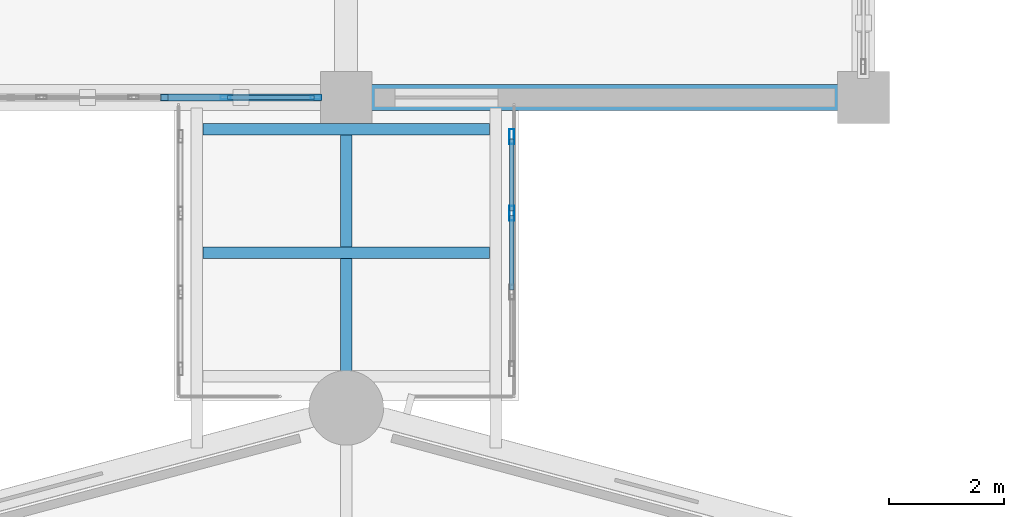
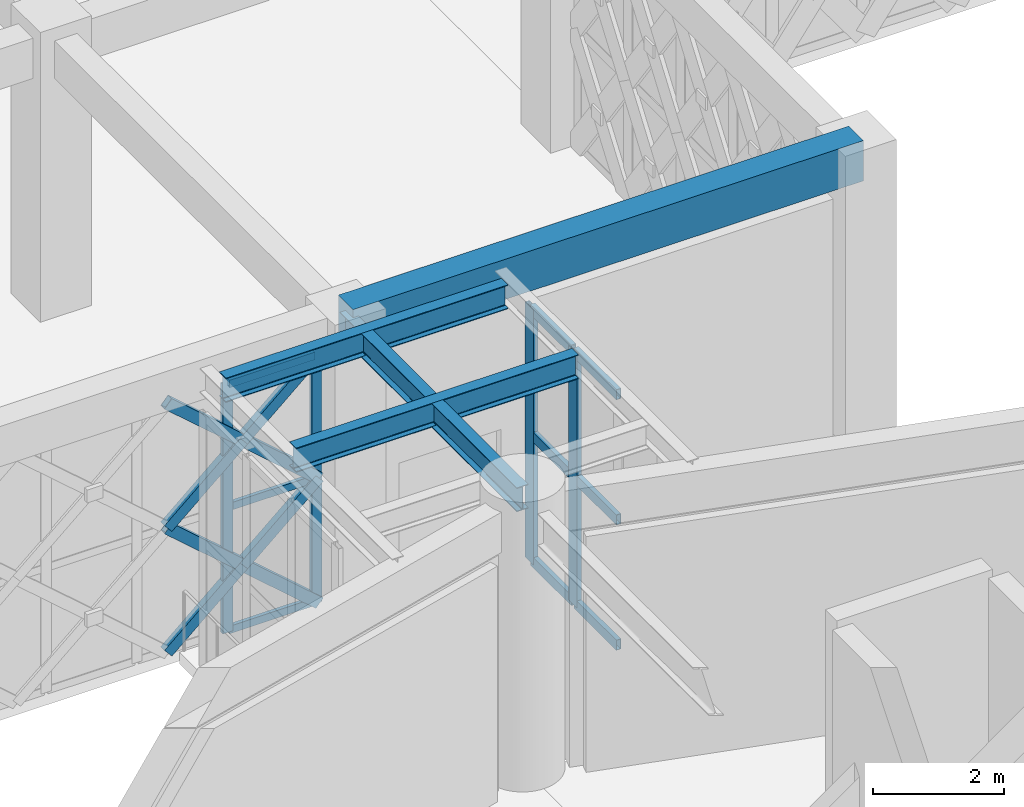
# One storey, part 73 of 155: 19 members, 4 beams, 2 elements without a shape of their own.
"""IFC4 building model written with IfcOpenShell, lengths in metres."""

from ifc_helpers import new_model, si_unit, direction, frame, origin, origin_2d, place, context, subcontext, project, spatial, rectangle, hollow_rectangle, i_section, extrude, material, material_profile, profile_set, type_object, element, aggregate, save


model = new_model("IFC4")

# Units and contexts
model_context = context("Model", 3, precision=1e-05, world=origin(), true_north=direction((0.0, 1.0)))
body_context = subcontext(model_context, "Body", "Model", "MODEL_VIEW")
ifc_project = project(units=[si_unit("LENGTHUNIT", "METRE"), si_unit("AREAUNIT", "SQUARE_METRE"), si_unit("VOLUMEUNIT", "CUBIC_METRE"), si_unit("PLANEANGLEUNIT", "RADIAN"), si_unit("MASSUNIT", "GRAM", prefix="KILO")], contexts=[model_context])

# Site, building, storey
site_placement = place(None, origin())
site = spatial("IfcSite", under=ifc_project, at=site_placement, CompositionType="ELEMENT")
building_placement = place(site_placement, origin())
building = spatial("IfcBuilding", under=site, at=building_placement, Name="Haizhuo Lancet Aquarium", CompositionType="ELEMENT")
storey_placement = place(building_placement, frame((0.0, 0.0, 10.800048828125)))
storey = spatial("IfcBuildingStorey", under=building, at=storey_placement, Name="L02", CompositionType="ELEMENT", Elevation=10.800048828125)

# Beam
ifc_material_1 = material(Name="Concrete C40/50", Category="concrete")
ifc_material_profile_1 = material_profile(ifc_material_1, rectangle(XDim=0.449951171875, YDim=0.75, at=origin_2d()), Name="RC-BM 450x750")
ifc_profile_set_1 = profile_set([ifc_material_profile_1], Name="Concrete C40/50")
beam_type_1 = type_object("IfcBeamType", Name="BM-RC-450x750", PredefinedType="BEAM", material=ifc_profile_set_1)
beam_1_placement = place(storey_placement, frame((0.0, 27.0, 5.02490234375), z_axis=(1.0, 0.0, 0.0), x_axis=(0.0, 1.0, 0.0)))
element("IfcBeam", 1, at=beam_1_placement, inside=storey, type_object=beam_type_1, Name="L02 V5 primary girder BM-L02-V5-017", PredefinedType="BEAM", context=body_context, shape_type="SweptSolid", body=[
    extrude(rectangle(XDim=0.449951171875, YDim=0.75, at=origin_2d()), origin(), (0.0, 0.0, 1.0), 9.0),
])

# Curtain wall, members
ifc_material_2 = material(Name="Aluminium 6063-T6", Category="aluminium")
curtain_wall_type_1 = type_object("IfcCurtainWallType", Name="CWO-8010x4650", PredefinedType="NOTDEFINED", material=ifc_material_2)
curtain_wall_1_placement = place(storey_placement, origin())
curtain_wall_1 = element("IfcCurtainWall", 2, at=curtain_wall_1_placement, inside=storey, type_object=curtain_wall_type_1, Name="L02 curtain wall CW-V5-L02-157", PredefinedType="NOTDEFINED")
ifc_material_profile_2 = material_profile(ifc_material_2, hollow_rectangle(XDim=0.06494140625, YDim=0.179931640625, WallThickness=0.00390625, at=origin_2d()), Name="ALU-M 65x180x4")
ifc_profile_set_2 = profile_set([ifc_material_profile_2], Name="Aluminium 6063-T6")
member_type_1 = type_object("IfcMemberType", Name="CW-MUL-1", PredefinedType="MULLION", material=ifc_profile_set_2)
member_1_placement = place(storey_placement, frame((-0.527099609375, 27.0, 0.0), z_axis=(0.0, 0.0, 1.0), x_axis=(0.0, -1.0, 0.0)))
member_1 = element("IfcMember", 3, at=member_1_placement, type_object=member_type_1, Name="CWO-80x46 mullion 1", PredefinedType="MULLION", context=body_context, shape_type="SweptSolid", body=[
    extrude(hollow_rectangle(XDim=0.06494140625, YDim=0.179931640625, WallThickness=0.00390625, at=origin_2d()), origin(), (0.0, 0.0, 1.0), 4.64990234375),
])
member_2_placement = place(storey_placement, frame((-2.096923828125, 27.0, 0.0), z_axis=(0.0, 0.0, 1.0), x_axis=(0.0, -1.0, 0.0)))
member_2 = element("IfcMember", 4, at=member_2_placement, type_object=member_type_1, Name="CWO-80x46 mullion 2", PredefinedType="MULLION", context=body_context, shape_type="SweptSolid", body=[
    extrude(hollow_rectangle(XDim=0.06494140625, YDim=0.179931640625, WallThickness=0.00390625, at=origin_2d()), origin(), (0.0, 0.0, 1.0), 4.64990234375),
])

curtain_wall_type_2 = type_object("IfcCurtainWallType", Name="CWO-4120x4750", PredefinedType="NOTDEFINED", material=ifc_material_2)
curtain_wall_2_placement = place(storey_placement, origin())
curtain_wall_2 = element("IfcCurtainWall", 5, at=curtain_wall_2_placement, inside=storey, type_object=curtain_wall_type_2, Name="L02 curtain wall CW-SB-03-E1", PredefinedType="NOTDEFINED")
ifc_material_profile_3 = material_profile(ifc_material_2, hollow_rectangle(XDim=0.080078125, YDim=0.260009765625, WallThickness=0.0048828125, at=origin_2d()), Name="ALU-M 80x260x5")
ifc_profile_set_3 = profile_set([ifc_material_profile_3], Name="Aluminium 6063-T6")
member_type_2 = type_object("IfcMemberType", Name="CW-MUL-3", PredefinedType="MULLION", material=ifc_profile_set_3)
member_3_placement = place(storey_placement, frame((2.8798828125, 26.320068359375, 0.0), z_axis=(0.0, 0.0, 1.0), x_axis=(1.0, 0.0, 0.0)))
member_3 = element("IfcMember", 6, at=member_3_placement, type_object=member_type_2, Name="CWO-41x47 mullion 1", PredefinedType="MULLION", context=body_context, shape_type="SweptSolid", body=[
    extrude(hollow_rectangle(XDim=0.080078125, YDim=0.260009765625, WallThickness=0.0048828125, at=origin_2d()), origin(), (0.0, 0.0, 1.0), 4.75),
])
member_4_placement = place(storey_placement, frame((2.8798828125, 24.987060546875, 0.0), z_axis=(0.0, 0.0, 1.0), x_axis=(1.0, 0.0, 0.0)))
member_4 = element("IfcMember", 7, at=member_4_placement, type_object=member_type_2, Name="CWO-41x47 mullion 2", PredefinedType="MULLION", context=body_context, shape_type="SweptSolid", body=[
    extrude(hollow_rectangle(XDim=0.080078125, YDim=0.260009765625, WallThickness=0.0048828125, at=origin_2d()), origin(), (0.0, 0.0, 1.0), 4.75),
])

# Member
ifc_material_profile_4 = material_profile(ifc_material_2, hollow_rectangle(XDim=0.06494140625, YDim=0.139892578125, WallThickness=0.00390625, at=origin_2d()), Name="ALU-T 65x140x4")
ifc_profile_set_4 = profile_set([ifc_material_profile_4], Name="Aluminium 6063-T6")
member_type_3 = type_object("IfcMemberType", Name="CW-TRN-1", PredefinedType="NOTDEFINED", material=ifc_profile_set_4)
member_5_placement = place(storey_placement, frame((-0.56005859375, 27.0, 0.032958984375), z_axis=(-1.0, 0.0, 0.0), x_axis=(0.0, -1.0, 0.0)))
member_5 = element("IfcMember", 8, at=member_5_placement, type_object=member_type_3, Name="CWO-80x46 transom 1.1", ObjectType="TRANSOM", PredefinedType="USERDEFINED", context=body_context, shape_type="SweptSolid", body=[
    extrude(hollow_rectangle(XDim=0.06494140625, YDim=0.139892578125, WallThickness=0.00390625, at=origin_2d()), origin(), (0.0, 0.0, 1.0), 1.5048828125),
])

member_6_placement = place(storey_placement, frame((-0.56005859375, 27.0, 2.324951171875), z_axis=(-1.0, 0.0, 0.0), x_axis=(0.0, -1.0, 0.0)))
member_6 = element("IfcMember", 9, at=member_6_placement, type_object=member_type_3, Name="CWO-80x46 transom 1.2", ObjectType="TRANSOM", PredefinedType="USERDEFINED", context=body_context, shape_type="SweptSolid", body=[
    extrude(hollow_rectangle(XDim=0.06494140625, YDim=0.139892578125, WallThickness=0.00390625, at=origin_2d()), origin(), (0.0, 0.0, 1.0), 1.5048828125),
])

member_7_placement = place(storey_placement, frame((-0.56005859375, 27.0, 4.616943359375), z_axis=(-1.0, 0.0, 0.0), x_axis=(0.0, -1.0, 0.0)))
member_7 = element("IfcMember", 10, at=member_7_placement, type_object=member_type_3, Name="CWO-80x46 transom 1.3", ObjectType="TRANSOM", PredefinedType="USERDEFINED", context=body_context, shape_type="SweptSolid", body=[
    extrude(hollow_rectangle(XDim=0.06494140625, YDim=0.139892578125, WallThickness=0.00390625, at=origin_2d()), origin(), (0.0, 0.0, 1.0), 1.5048828125),
])

aggregate(curtain_wall_1, [member_1, member_2, member_5, member_6, member_7])

ifc_material_profile_5 = material_profile(ifc_material_2, hollow_rectangle(XDim=0.080078125, YDim=0.18994140625, WallThickness=0.0048828125, at=origin_2d()), Name="ALU-T 80x190x5")
ifc_profile_set_5 = profile_set([ifc_material_profile_5], Name="Aluminium 6063-T6")
member_type_4 = type_object("IfcMemberType", Name="CW-TRN-3", PredefinedType="NOTDEFINED", material=ifc_profile_set_5)
member_8_placement = place(storey_placement, frame((2.8798828125, 26.280029296875, 0.0400390625), z_axis=(0.0, -1.0, 0.0), x_axis=(1.0, 0.0, 0.0)))
member_8 = element("IfcMember", 11, at=member_8_placement, type_object=member_type_4, Name="CWO-41x47 transom 1.1", ObjectType="TRANSOM", PredefinedType="USERDEFINED", context=body_context, shape_type="SweptSolid", body=[
    extrude(hollow_rectangle(XDim=0.080078125, YDim=0.18994140625, WallThickness=0.0048828125, at=origin_2d()), origin(), (0.0, 0.0, 1.0), 1.2529296875),
])

member_9_placement = place(storey_placement, frame((2.8798828125, 26.280029296875, 2.375), z_axis=(0.0, -1.0, 0.0), x_axis=(1.0, 0.0, 0.0)))
member_9 = element("IfcMember", 12, at=member_9_placement, type_object=member_type_4, Name="CWO-41x47 transom 1.2", ObjectType="TRANSOM", PredefinedType="USERDEFINED", context=body_context, shape_type="SweptSolid", body=[
    extrude(hollow_rectangle(XDim=0.080078125, YDim=0.18994140625, WallThickness=0.0048828125, at=origin_2d()), origin(), (0.0, 0.0, 1.0), 1.2529296875),
])

member_10_placement = place(storey_placement, frame((2.8798828125, 26.280029296875, 4.7099609375), z_axis=(0.0, -1.0, 0.0), x_axis=(1.0, 0.0, 0.0)))
member_10 = element("IfcMember", 13, at=member_10_placement, type_object=member_type_4, Name="CWO-41x47 transom 1.3", ObjectType="TRANSOM", PredefinedType="USERDEFINED", context=body_context, shape_type="SweptSolid", body=[
    extrude(hollow_rectangle(XDim=0.080078125, YDim=0.18994140625, WallThickness=0.0048828125, at=origin_2d()), origin(), (0.0, 0.0, 1.0), 1.2529296875),
])

member_11_placement = place(storey_placement, frame((2.8798828125, 24.947021484375, 0.0400390625), z_axis=(0.0, -1.0, 0.0), x_axis=(1.0, 0.0, 0.0)))
member_11 = element("IfcMember", 14, at=member_11_placement, type_object=member_type_4, Name="CWO-41x47 transom 2.1", ObjectType="TRANSOM", PredefinedType="USERDEFINED", context=body_context, shape_type="SweptSolid", body=[
    extrude(hollow_rectangle(XDim=0.080078125, YDim=0.18994140625, WallThickness=0.0048828125, at=origin_2d()), origin(), (0.0, 0.0, 1.0), 1.2939453125),
])

member_12_placement = place(storey_placement, frame((2.8798828125, 24.947021484375, 2.375), z_axis=(0.0, -1.0, 0.0), x_axis=(1.0, 0.0, 0.0)))
member_12 = element("IfcMember", 15, at=member_12_placement, type_object=member_type_4, Name="CWO-41x47 transom 2.2", ObjectType="TRANSOM", PredefinedType="USERDEFINED", context=body_context, shape_type="SweptSolid", body=[
    extrude(hollow_rectangle(XDim=0.080078125, YDim=0.18994140625, WallThickness=0.0048828125, at=origin_2d()), origin(), (0.0, 0.0, 1.0), 1.2939453125),
])

member_13_placement = place(storey_placement, frame((2.8798828125, 24.947021484375, 4.7099609375), z_axis=(0.0, -1.0, 0.0), x_axis=(1.0, 0.0, 0.0)))
member_13 = element("IfcMember", 16, at=member_13_placement, type_object=member_type_4, Name="CWO-41x47 transom 2.3", ObjectType="TRANSOM", PredefinedType="USERDEFINED", context=body_context, shape_type="SweptSolid", body=[
    extrude(hollow_rectangle(XDim=0.080078125, YDim=0.18994140625, WallThickness=0.0048828125, at=origin_2d()), origin(), (0.0, 0.0, 1.0), 1.2939453125),
])

aggregate(curtain_wall_2, [member_3, member_4, member_8, member_9, member_10, member_11, member_12, member_13])

# Beams
ifc_material_3 = material(Name="Steel S355", Category="steel")
ifc_material_profile_6 = material_profile(ifc_material_3, i_section(OverallWidth=0.199951171875, OverallDepth=0.449951171875, WebThickness=0.009033203125, FlangeThickness=0.013916015625, FilletRadius=0.01806640625, at=origin_2d()), Name="HN 450x200x9x14")
ifc_profile_set_6 = profile_set([ifc_material_profile_6], Name="Steel S355")
beam_type_2 = type_object("IfcBeamType", Name="JST-ST-HN450", PredefinedType="JOIST", material=ifc_profile_set_6)
beam_2_placement = place(storey_placement, frame((0.0, 21.60009765625, 5.02490234375), z_axis=(0.0, 1.0, 0.0), x_axis=(-1.0, 0.0, 0.0)))
element("IfcBeam", 17, at=beam_2_placement, inside=storey, type_object=beam_type_2, Name="Bridge roof longitudinal girder SB-03 1", PredefinedType="JOIST", context=body_context, shape_type="SweptSolid", body=[
    extrude(i_section(OverallWidth=0.199951171875, OverallDepth=0.449951171875, WebThickness=0.009033203125, FlangeThickness=0.013916015625, FilletRadius=0.01806640625, at=origin_2d()), origin(), (0.0, 0.0, 1.0), 5.39990234375),
])
for number, where, z_axis, x_axis, name in (
    (18, (-2.489990234375, 24.300048828125, 5.02490234375), (1.0, 0.0, 0.0), (0.0, 1.0, 0.0), "Bridge roof cross tie SB-03 M"),
    (19, (-2.489990234375, 26.449951171875, 5.02490234375), (1.0, 0.0, 0.0), (0.0, 1.0, 0.0), "Bridge roof cross tie SB-03 N"),
):
    element("IfcBeam", number, at=place(storey_placement, frame(where, z_axis=z_axis, x_axis=x_axis)), inside=storey, type_object=beam_type_2, Name=name, PredefinedType="JOIST", context=body_context, shape_type="SweptSolid", body=[
        extrude(i_section(OverallWidth=0.199951171875, OverallDepth=0.449951171875, WebThickness=0.009033203125, FlangeThickness=0.013916015625, FilletRadius=0.01806640625, at=origin_2d()), origin(), (0.0, 0.0, 1.0), 4.97998046875),
    ])

# Members
ifc_material_profile_7 = material_profile(ifc_material_3, hollow_rectangle(XDim=0.1201171875, YDim=0.199951171875, WallThickness=0.008056640625, at=origin_2d()), Name="RHS 120x200x8")
ifc_profile_set_7 = profile_set([ifc_material_profile_7], Name="Steel S355")
member_type_5 = type_object("IfcMemberType", Name="MEM-LB-RHS120x200", PredefinedType="BRACE", material=ifc_profile_set_7)
member_14_placement = place(storey_placement, frame((-0.4951171875, 27.0, 0.0), z_axis=(-0.754146594137, 0.0, 0.656706109726), x_axis=(0.0, -1.0, 0.0)))
element("IfcMember", 20, at=member_14_placement, inside=storey, type_object=member_type_5, Name="Gothic lancet continuous diagonal brace CW-V5-L02-157 1A", PredefinedType="BRACE", context=body_context, shape_type="SweptSolid", body=[
    extrude(hollow_rectangle(XDim=0.1201171875, YDim=0.199951171875, WallThickness=0.008056640625, at=origin_2d()), origin(), (0.0, 0.0, 1.0), 3.540283203125),
])
member_15_placement = place(storey_placement, frame((-3.1650390625, 27.0, 0.0), z_axis=(0.754044141002, 0.0, 0.656823746085), x_axis=(0.0, 1.0, 0.0)))
element("IfcMember", 21, at=member_15_placement, inside=storey, type_object=member_type_5, Name="Gothic lancet split diagonal brace CW-V5-L02-157 1B1", PredefinedType="BRACE", context=body_context, shape_type="SweptSolid", body=[
    extrude(hollow_rectangle(XDim=0.1201171875, YDim=0.199951171875, WallThickness=0.008056640625, at=origin_2d()), origin(), (0.0, 0.0, 1.0), 1.7705078125),
])
member_16_placement = place(storey_placement, frame((-1.830078125, 27.0, 1.162841796875), z_axis=(0.754249056755, 0.0, 0.656588425412), x_axis=(0.0, 1.0, 0.0)))
element("IfcMember", 22, at=member_16_placement, inside=storey, type_object=member_type_5, Name="Gothic lancet split diagonal brace CW-V5-L02-157 1B2", PredefinedType="BRACE", context=body_context, shape_type="SweptSolid", body=[
    extrude(hollow_rectangle(XDim=0.1201171875, YDim=0.199951171875, WallThickness=0.008056640625, at=origin_2d()), origin(), (0.0, 0.0, 1.0), 1.77001953125),
])
member_17_placement = place(storey_placement, frame((-0.4951171875, 27.0, 2.324951171875), z_axis=(-0.754146594137, 0.0, 0.656706109726), x_axis=(0.0, -1.0, 0.0)))
element("IfcMember", 23, at=member_17_placement, inside=storey, type_object=member_type_5, Name="Gothic lancet continuous diagonal brace CW-V5-L02-157 2A", PredefinedType="BRACE", context=body_context, shape_type="SweptSolid", body=[
    extrude(hollow_rectangle(XDim=0.1201171875, YDim=0.199951171875, WallThickness=0.008056640625, at=origin_2d()), origin(), (0.0, 0.0, 1.0), 3.540283203125),
])
member_18_placement = place(storey_placement, frame((-3.1650390625, 27.0, 2.324951171875), z_axis=(0.754249056755, 0.0, 0.656588425412), x_axis=(0.0, 1.0, 0.0)))
element("IfcMember", 24, at=member_18_placement, inside=storey, type_object=member_type_5, Name="Gothic lancet split diagonal brace CW-V5-L02-157 2B1", PredefinedType="BRACE", context=body_context, shape_type="SweptSolid", body=[
    extrude(hollow_rectangle(XDim=0.1201171875, YDim=0.199951171875, WallThickness=0.008056640625, at=origin_2d()), origin(), (0.0, 0.0, 1.0), 1.77001953125),
])
member_19_placement = place(storey_placement, frame((-1.830078125, 27.0, 3.487060546875), z_axis=(0.754044141002, 0.0, 0.656823746085), x_axis=(0.0, 1.0, 0.0)))
element("IfcMember", 25, at=member_19_placement, inside=storey, type_object=member_type_5, Name="Gothic lancet split diagonal brace CW-V5-L02-157 2B2", PredefinedType="BRACE", context=body_context, shape_type="SweptSolid", body=[
    extrude(hollow_rectangle(XDim=0.1201171875, YDim=0.199951171875, WallThickness=0.008056640625, at=origin_2d()), origin(), (0.0, 0.0, 1.0), 1.7705078125),
])

save(model, "model.ifc")
